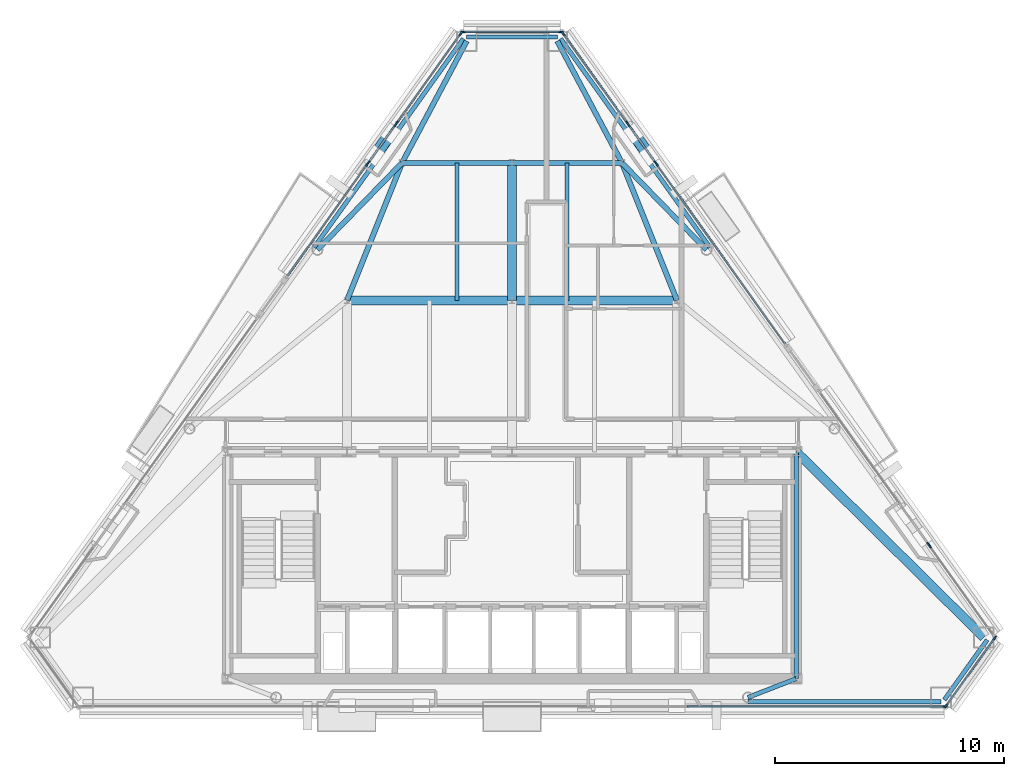
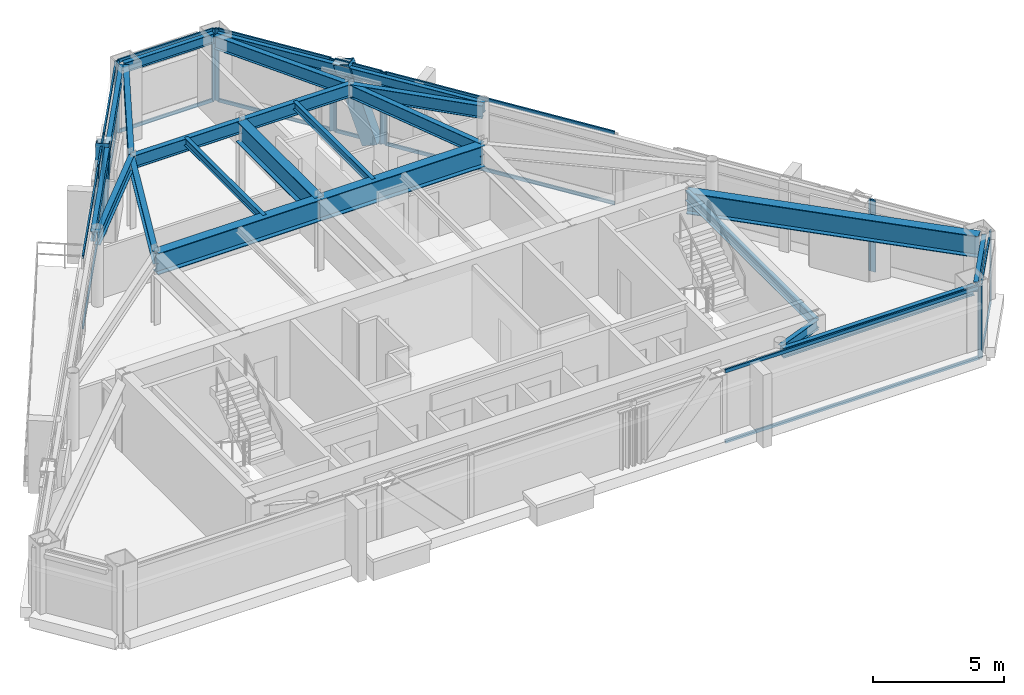
# One storey, part 5 of 12: 37 members, 21 beams, 11 elements without a shape of their own.
"""IFC4 building model written with IfcOpenShell, lengths in metres."""

import ifcopenshell
import ifcopenshell.guid

model = None  # the IFC model being written
_history = None  # IfcOwnerHistory: only IFC2X3 demands one
_inside = {}  # id of a spatial element -> (the spatial element, [elements in it])
_under = {}  # id of a project, library or spatial element -> (it, [spatial elements below it])
_declared = {}  # id of a project -> (the project, [libraries it declares])
_typed = {}  # id of a type object -> (the type object, [elements of that type])
_made_of = {}  # id of a material, layer set ... -> (it, [elements and type objects made of it])


def new_model(schema):
    """Start an empty IFC model of exactly this schema.

    Asked for "IFC4X3", IfcOpenShell would pick the latest addendum, in which some entities
    have other attributes; the version numbers below select the first issue.
    IFC2X3 requires an IfcOwnerHistory on every rooted entity: one is made here for all.
    """
    global model, _history
    if schema == "IFC4X3":
        model = ifcopenshell.file(schema_version=(4, 3, 0, 0))
    else:
        model = ifcopenshell.file(schema=schema)
    _inside.clear()
    _under.clear()
    _declared.clear()
    _typed.clear()
    _made_of.clear()
    _history = None
    if model.schema == "IFC2X3":
        org = make("IfcOrganization", Name="unknown")
        user = make(
            "IfcPersonAndOrganization",
            ThePerson=make("IfcPerson", FamilyName="unknown"),
            TheOrganization=org,
        )
        app = make(
            "IfcApplication",
            ApplicationDeveloper=org,
            Version="unknown",
            ApplicationFullName="unknown",
            ApplicationIdentifier="unknown",
        )
        _history = make(
            "IfcOwnerHistory",
            OwningUser=user,
            OwningApplication=app,
            ChangeAction="ADDED",
            CreationDate=0,
        )
    return model


def make(cls, **values):
    """One entity of the class cls with the attributes given. An attribute that is None is left unset."""
    return model.create_entity(
        cls, **{name: value for name, value in values.items() if value is not None}
    )


def rooted(cls, **values):
    """An entity with a GlobalId (a new one), such as an element, a storey or a relation."""
    return make(cls, GlobalId=ifcopenshell.guid.new(), OwnerHistory=_history, **values)


def si_unit(unit_type, name, prefix=None):
    """IfcSIUnit, for example si_unit("LENGTHUNIT", "METRE", prefix="MILLI")."""
    return make("IfcSIUnit", UnitType=unit_type, Prefix=prefix, Name=name)


def assignment(units):
    """IfcUnitAssignment: the units of a project."""
    return None if units is None else make("IfcUnitAssignment", Units=units)


def point(xyz):
    """IfcCartesianPoint."""
    return None if xyz is None else make("IfcCartesianPoint", Coordinates=xyz)


def direction(xyz):
    """IfcDirection."""
    return None if xyz is None else make("IfcDirection", DirectionRatios=xyz)


def frame(location, z_axis=None, x_axis=None):
    """IfcAxis2Placement3D, a coordinate frame: its origin and axes. An axis left out is left unset."""
    return make(
        "IfcAxis2Placement3D",
        Location=point(location),
        Axis=direction(z_axis),
        RefDirection=direction(x_axis),
    )


def frame_2d(location, x_axis=None):
    """IfcAxis2Placement2D, a coordinate frame in the plane: its origin and x axis."""
    return make(
        "IfcAxis2Placement2D", Location=point(location), RefDirection=direction(x_axis)
    )


def origin():
    """The frame at (0, 0, 0) with its axes left unset."""
    return frame((0.0, 0.0, 0.0))


def origin_2d():
    """The frame at (0, 0) in the plane with its x axis left unset."""
    return frame_2d((0.0, 0.0))


def place(relative_to, where):
    """IfcLocalPlacement: puts the frame where relative to a parent placement (None: the world)."""
    return make(
        "IfcLocalPlacement", PlacementRelTo=relative_to, RelativePlacement=where
    )


def context(
    kind, dimensions, precision=None, world=None, true_north=None, identifier=None
):
    """IfcGeometricRepresentationContext, for example the 3D "Model" context."""
    return make(
        "IfcGeometricRepresentationContext",
        ContextIdentifier=identifier,
        ContextType=kind,
        CoordinateSpaceDimension=dimensions,
        Precision=precision,
        WorldCoordinateSystem=world,
        TrueNorth=true_north,
    )


def subcontext(parent, identifier, kind, view, scale=None):
    """IfcGeometricRepresentationSubContext, for example "Body" below "Model"."""
    return make(
        "IfcGeometricRepresentationSubContext",
        ContextIdentifier=identifier,
        ContextType=kind,
        ParentContext=parent,
        TargetScale=scale,
        TargetView=view,
    )


def project(units=None, contexts=None):
    """IfcProject with its units and contexts."""
    return rooted(
        "IfcProject",
        Name="project",
        RepresentationContexts=contexts,
        UnitsInContext=assignment(units),
    )


def spatial(cls, under=None, at=None, **own):
    """A site, building, storey or space (cls), placed at a placement, below another one or the project."""
    s = rooted(cls, ObjectPlacement=at, **own)
    if under is not None:
        _under.setdefault(under.id(), (under, []))[1].append(s)
    return s


def profile(cls, at=None, kind="AREA", **sizes):
    """A parametric profile (cls). Its sizes go by their IFC names, for example OverallWidth=200.0."""
    return make(cls, ProfileType=kind, Position=at, **sizes)


def rectangle(**sizes):
    """IfcRectangleProfileDef."""
    return profile("IfcRectangleProfileDef", **sizes)


def hollow_rectangle(**sizes):
    """IfcRectangleHollowProfileDef."""
    return profile("IfcRectangleHollowProfileDef", **sizes)


def i_section(**sizes):
    """IfcIShapeProfileDef."""
    return profile("IfcIShapeProfileDef", **sizes)


def extrude(swept, where, along, depth):
    """IfcExtrudedAreaSolid: the profile swept, set in the frame where, extruded along a direction by depth."""
    return make(
        "IfcExtrudedAreaSolid",
        SweptArea=swept,
        Position=where,
        ExtrudedDirection=direction(along),
        Depth=depth,
    )


def shape(context_of_items, identifier, shape_type, items):
    """IfcShapeRepresentation: the items that make up one representation, for example the "Body"."""
    return make(
        "IfcShapeRepresentation",
        ContextOfItems=context_of_items,
        RepresentationIdentifier=identifier,
        RepresentationType=shape_type,
        Items=items,
    )


def material(Name=None, Category=None):
    """IfcMaterial."""
    return make("IfcMaterial", Name=Name, Category=Category)


def layer(
    of_material, thickness, ventilated=None, Name=None, Category=None, Priority=None
):
    """IfcMaterialLayer: one layer of a wall or slab, of a material (None: an air gap)."""
    return make(
        "IfcMaterialLayer",
        Material=of_material,
        LayerThickness=thickness,
        IsVentilated=ventilated,
        Name=Name,
        Category=Category,
        Priority=Priority,
    )


def layer_set(layers, Name=None):
    """IfcMaterialLayerSet."""
    return make("IfcMaterialLayerSet", MaterialLayers=layers, LayerSetName=Name)


def material_profile(
    of_material, cross_section, Name=None, Category=None, Priority=None
):
    """IfcMaterialProfile: a cross section and its material."""
    return make(
        "IfcMaterialProfile",
        Name=Name,
        Material=of_material,
        Profile=cross_section,
        Priority=Priority,
        Category=Category,
    )


def profile_set(profiles, Name=None, composite=None):
    """IfcMaterialProfileSet."""
    return make(
        "IfcMaterialProfileSet",
        Name=Name,
        MaterialProfiles=profiles,
        CompositeProfile=composite,
    )


def made_of(thing, what):
    """Note that an element or type object is made of a material, layer set ...; save() writes the relation."""
    if what is not None:
        _made_of.setdefault(what.id(), (what, []))[1].append(thing)
    return thing


def type_object(cls, material=None, **own):
    """A type object (cls), such as IfcWallType, which elements share."""
    return made_of(rooted(cls, **own), material)


def element(
    cls,
    number,
    at=None,
    inside=None,
    cuts=None,
    type_object=None,
    material=None,
    context=None,
    identifier="Body",
    shape_type=None,
    held_by="IfcProductDefinitionShape",
    body=None,
    shapes=None,
    **own,
):
    """One element of the class cls, such as IfcWall. Its Tag is "e" and its number.

    at: its placement. inside: the storey or other place that contains it. cuts: it is an
    opening in that element (IfcRelVoidsElement). A single representation is given by context,
    identifier, shape_type and body (its items); several are given by shapes. held_by: the class
    of the entity that holds the representations. save() writes the other relations.
    """
    e = rooted(cls, Tag="e%d" % number, ObjectPlacement=at, **own)
    if body is not None:
        shapes = [shape(context, identifier, shape_type, body)]
    if shapes is not None:
        e.Representation = make(held_by, Representations=shapes)
    if inside is not None:
        _inside.setdefault(inside.id(), (inside, []))[1].append(e)
    if cuts is not None:
        rooted(
            "IfcRelVoidsElement", RelatingBuildingElement=cuts, RelatedOpeningElement=e
        )
    if type_object is not None:
        _typed.setdefault(type_object.id(), (type_object, []))[1].append(e)
    return made_of(e, material)


def aggregate(whole, parts):
    """IfcRelAggregates: a whole, such as a stair, and the parts it consists of."""
    return rooted("IfcRelAggregates", RelatingObject=whole, RelatedObjects=parts)


def save(model, path):
    """Write the relations noted so far, then the file.

    IfcRelAggregates (storeys below a building ...), IfcRelContainedInSpatialStructure (elements
    in a storey), IfcRelDefinesByType, IfcRelAssociatesMaterial and IfcRelDeclares: one each for
    every whole, place, type object, material and project.
    """
    for whole, parts in _under.values():
        aggregate(whole, parts)
    for where, things in _inside.values():
        rooted(
            "IfcRelContainedInSpatialStructure",
            RelatedElements=things,
            RelatingStructure=where,
        )
    for kind, things in _typed.values():
        rooted("IfcRelDefinesByType", RelatedObjects=things, RelatingType=kind)
    for what, things in _made_of.values():
        rooted("IfcRelAssociatesMaterial", RelatedObjects=things, RelatingMaterial=what)
    for by, libraries in _declared.values():
        rooted("IfcRelDeclares", RelatingContext=by, RelatedDefinitions=libraries)
    model.write(path)


model = new_model("IFC4")

# Units and contexts
model_context = context("Model", 3, precision=1e-05, world=origin(), true_north=direction((0.0, 1.0)))
body_context = subcontext(model_context, "Body", "Model", "MODEL_VIEW")
ifc_project = project(units=[si_unit("LENGTHUNIT", "METRE"), si_unit("AREAUNIT", "SQUARE_METRE"), si_unit("VOLUMEUNIT", "CUBIC_METRE"), si_unit("PLANEANGLEUNIT", "RADIAN"), si_unit("MASSUNIT", "GRAM", prefix="KILO")], contexts=[model_context])

# Site, building, storey
site_placement = place(None, origin())
site = spatial("IfcSite", under=ifc_project, at=site_placement, CompositionType="ELEMENT")
building_placement = place(site_placement, origin())
building = spatial("IfcBuilding", under=site, at=building_placement, Name="Talgorran Terracotta Tower", CompositionType="ELEMENT")
storey_placement = place(building_placement, frame((0.0, 0.0, 267.0)))
storey = spatial("IfcBuildingStorey", under=building, at=storey_placement, Name="L70", CompositionType="ELEMENT", Elevation=267.0)

# Beams
ifc_material_1 = material(Name="Steel Grade 350 (350L0)", Category="steel")
ifc_material_profile_1 = material_profile(ifc_material_1, i_section(OverallWidth=0.39990234375, OverallDepth=1.0, WebThickness=0.01611328125, FlangeThickness=0.031005859375, at=origin_2d()), Name="1000WB296")
ifc_profile_set_1 = profile_set([ifc_material_profile_1], Name="Steel Grade 350 (350L0)")
beam_type_1 = type_object("IfcBeamType", Name="BM_1000WB296", PredefinedType="BEAM", material=ifc_profile_set_1)
for number, where, z_axis, x_axis, name in (
    (1, (-7.199951171875, 2.39990234375, 2.844970703125), (1.0, 0.0, 0.0), (0.0, 1.0, 0.0), "L70 Floor Girder G04"),
    (2, (0.0, 2.39990234375, 2.844970703125), (1.0, 0.0, 0.0), (0.0, 1.0, 0.0), "L70 Floor Girder G05"),
):
    element("IfcBeam", number, at=place(storey_placement, frame(where, z_axis=z_axis, x_axis=x_axis)), inside=storey, type_object=beam_type_1, Name=name, PredefinedType="BEAM", context=body_context, shape_type="SweptSolid", body=[
        extrude(i_section(OverallWidth=0.39990234375, OverallDepth=1.0, WebThickness=0.01611328125, FlangeThickness=0.031005859375, at=origin_2d()), origin(), (0.0, 0.0, 1.0), 7.199951171875),
    ])
beam_1_placement = place(storey_placement, frame((0.0, 2.39990234375, 2.844970703125), z_axis=(0.0, 1.0, 0.0), x_axis=(-1.0, 0.0, 0.0)))
element("IfcBeam", 3, at=beam_1_placement, inside=storey, type_object=beam_type_1, Name="L70 Floor Girder G09", PredefinedType="BEAM", context=body_context, shape_type="SweptSolid", body=[
    extrude(i_section(OverallWidth=0.39990234375, OverallDepth=1.0, WebThickness=0.01611328125, FlangeThickness=0.031005859375, at=origin_2d()), origin(), (0.0, 0.0, 1.0), 6.0),
])
beam_2_placement = place(storey_placement, frame((12.39990234375, -4.199951171875, 2.844970703125), z_axis=(0.710637755688, -0.703558085868, 0.0), x_axis=(0.703558085868, 0.710637755688, 0.0)))
element("IfcBeam", 4, at=beam_2_placement, inside=storey, type_object=beam_type_1, Name="L70 Floor Girder G18", PredefinedType="BEAM", context=body_context, shape_type="SweptSolid", body=[
    extrude(i_section(OverallWidth=0.39990234375, OverallDepth=1.0, WebThickness=0.01611328125, FlangeThickness=0.031005859375, at=origin_2d()), origin(), (0.0, 0.0, 1.0), 11.517822265625),
])
ifc_material_2 = material(Name="Steel S355 (300PLUS)", Category="steel")
ifc_material_profile_2 = material_profile(ifc_material_2, i_section(OverallWidth=0.22802734375, OverallDepth=0.60205078125, WebThickness=0.010498046875, FlangeThickness=0.014892578125, at=origin_2d()), Name="610UB101")
ifc_profile_set_2 = profile_set([ifc_material_profile_2], Name="Steel S355 (300PLUS)")
beam_type_2 = type_object("IfcBeamType", Name="BM_610UB101", PredefinedType="BEAM", material=ifc_profile_set_2)
for number, where, z_axis, x_axis, name in (
    (5, (-7.199951171875, 2.39990234375, 3.0439453125), (0.371377648723, 0.928481901832, 0.0), (-0.928481901832, 0.371377648723, 0.0), "L70 Floor Girder G08"),
    (6, (7.199951171875, 2.39990234375, 3.0439453125), (-0.371377648723, 0.928481901832, 0.0), (-0.928481901832, -0.371377648723, 0.0), "L70 Floor Girder G10"),
):
    element("IfcBeam", number, at=place(storey_placement, frame(where, z_axis=z_axis, x_axis=x_axis)), inside=storey, type_object=beam_type_2, Name=name, PredefinedType="BEAM", context=body_context, shape_type="SweptSolid", body=[
        extrude(i_section(OverallWidth=0.22802734375, OverallDepth=0.60205078125, WebThickness=0.010498046875, FlangeThickness=0.014892578125, at=origin_2d()), origin(), (0.0, 0.0, 1.0), 6.462158203125),
    ])
for number, where, z_axis, x_axis, name in (
    (7, (-4.800048828125, 8.39990234375, 3.0439453125), (1.0, 0.0, 0.0), (0.0, 1.0, 0.0), "L70 Floor Girder G11"),
    (8, (0.0, 8.39990234375, 3.0439453125), (1.0, 0.0, 0.0), (0.0, 1.0, 0.0), "L70 Floor Girder G12"),
):
    element("IfcBeam", number, at=place(storey_placement, frame(where, z_axis=z_axis, x_axis=x_axis)), inside=storey, type_object=beam_type_2, Name=name, PredefinedType="BEAM", context=body_context, shape_type="SweptSolid", body=[
        extrude(i_section(OverallWidth=0.22802734375, OverallDepth=0.60205078125, WebThickness=0.010498046875, FlangeThickness=0.014892578125, at=origin_2d()), origin(), (0.0, 0.0, 1.0), 4.800048828125),
    ])
for number, where, z_axis, x_axis, name in (
    (9, (-4.800048828125, 8.39990234375, 3.0439453125), (-0.697416483559, -0.716666064817, 0.0), (0.716666064817, -0.697416483559, 0.0), "L70 Floor Girder G13"),
    (10, (4.800048828125, 8.39990234375, 3.0439453125), (0.697416483559, -0.716666064817, 0.0), (0.716666064817, 0.697416483559, 0.0), "L70 Floor Girder G14"),
):
    element("IfcBeam", number, at=place(storey_placement, frame(where, z_axis=z_axis, x_axis=x_axis)), inside=storey, type_object=beam_type_2, Name=name, PredefinedType="BEAM", context=body_context, shape_type="SweptSolid", body=[
        extrude(i_section(OverallWidth=0.22802734375, OverallDepth=0.60205078125, WebThickness=0.010498046875, FlangeThickness=0.014892578125, at=origin_2d()), origin(), (0.0, 0.0, 1.0), 5.288818359375),
    ])
for number, where, z_axis, x_axis, name in (
    (11, (-4.800048828125, 8.39990234375, 3.0439453125), (0.469200685486, 0.883091567585, 0.0), (-0.883091567585, 0.469200685486, 0.0), "L70 Floor Girder G15"),
    (12, (4.800048828125, 8.39990234375, 3.0439453125), (-0.469200685486, 0.883091567585, 0.0), (-0.883091567585, -0.469200685486, 0.0), "L70 Floor Girder G16"),
):
    element("IfcBeam", number, at=place(storey_placement, frame(where, z_axis=z_axis, x_axis=x_axis)), inside=storey, type_object=beam_type_2, Name=name, PredefinedType="BEAM", context=body_context, shape_type="SweptSolid", body=[
        extrude(i_section(OverallWidth=0.22802734375, OverallDepth=0.60205078125, WebThickness=0.010498046875, FlangeThickness=0.014892578125, at=origin_2d()), origin(), (0.0, 0.0, 1.0), 6.020751953125),
    ])
ifc_material_profile_3 = material_profile(ifc_material_2, i_section(OverallWidth=0.17138671875, OverallDepth=0.355712890625, WebThickness=0.00732421875, FlangeThickness=0.011474609375, at=origin_2d()), Name="360UB50.7")
ifc_profile_set_3 = profile_set([ifc_material_profile_3], Name="Steel S355 (300PLUS)")
beam_type_3 = type_object("IfcBeamType", Name="BM_JS_360UB51", PredefinedType="JOIST", material=ifc_profile_set_3)
for number, where, z_axis, x_axis, name in (
    (13, (-2.39990234375, 2.39990234375, 3.167236328125), (0.0, 1.0, 0.0), (-1.0, 0.0, 0.0), "L70 Secondary Joist J03"),
    (14, (2.39990234375, 2.39990234375, 3.167236328125), (0.0, 1.0, 0.0), (-1.0, 0.0, 0.0), "L70 Secondary Joist J04"),
):
    element("IfcBeam", number, at=place(storey_placement, frame(where, z_axis=z_axis, x_axis=x_axis)), inside=storey, type_object=beam_type_3, Name=name, PredefinedType="JOIST", context=body_context, shape_type="SweptSolid", body=[
        extrude(i_section(OverallWidth=0.17138671875, OverallDepth=0.355712890625, WebThickness=0.00732421875, FlangeThickness=0.011474609375, at=origin_2d()), origin(), (0.0, 0.0, 1.0), 6.0),
    ])
ifc_material_profile_4 = material_profile(ifc_material_2, i_section(OverallWidth=0.18994140625, OverallDepth=0.45703125, WebThickness=0.009033203125, FlangeThickness=0.014404296875, at=origin_2d()), Name="460UB74.6")
ifc_profile_set_4 = profile_set([ifc_material_profile_4], Name="Steel S355 (300PLUS)")
beam_type_4 = type_object("IfcBeamType", Name="BM_SP_460UB74", PredefinedType="SPANDREL", material=ifc_profile_set_4)
beam_3_placement = place(storey_placement, frame((10.29296875, -15.098876953125, 3.116455078125), z_axis=(1.0, 0.0, 0.0), x_axis=(0.0, 1.0, 0.0)))
element("IfcBeam", 15, at=beam_3_placement, inside=storey, type_object=beam_type_4, Name="L70 Perimeter Spandrel Beam FC2-MC3", PredefinedType="SPANDREL", context=body_context, shape_type="SweptSolid", body=[
    extrude(i_section(OverallWidth=0.18994140625, OverallDepth=0.45703125, WebThickness=0.009033203125, FlangeThickness=0.014404296875, at=origin_2d()), origin(), (0.0, 0.0, 1.0), 8.42138671875),
])
beam_4_placement = place(storey_placement, frame((18.860595703125, -15.023681640625, 3.116455078125), z_axis=(0.581733647308, 0.8133793479, 0.0), x_axis=(-0.8133793479, 0.581733647308, 0.0)))
element("IfcBeam", 16, at=beam_4_placement, inside=storey, type_object=beam_type_4, Name="L70 Perimeter Spandrel Beam MC3-MC4", PredefinedType="SPANDREL", context=body_context, shape_type="SweptSolid", body=[
    extrude(i_section(OverallWidth=0.18994140625, OverallDepth=0.45703125, WebThickness=0.009033203125, FlangeThickness=0.014404296875, at=origin_2d()), origin(), (0.0, 0.0, 1.0), 3.215576171875),
])
beam_5_placement = place(storey_placement, frame((8.635009765625, 4.71435546875, 3.116455078125), z_axis=(-0.58172898954, 0.813382679142, 0.0), x_axis=(-0.813382679142, -0.58172898954, 0.0)))
element("IfcBeam", 17, at=beam_5_placement, inside=storey, type_object=beam_type_4, Name="L70 Perimeter Spandrel Beam FC4-MC5", PredefinedType="SPANDREL", context=body_context, shape_type="SweptSolid", body=[
    extrude(i_section(OverallWidth=0.18994140625, OverallDepth=0.45703125, WebThickness=0.009033203125, FlangeThickness=0.014404296875, at=origin_2d()), origin(), (0.0, 0.0, 1.0), 11.19677734375),
])
beam_6_placement = place(storey_placement, frame((1.97509765625, 13.896728515625, 3.116455078125), z_axis=(-1.0, 0.0, 0.0), x_axis=(0.0, -1.0, 0.0)))
element("IfcBeam", 18, at=beam_6_placement, inside=storey, type_object=beam_type_4, Name="L70 Perimeter Spandrel Beam MC5-MC6", PredefinedType="SPANDREL", context=body_context, shape_type="SweptSolid", body=[
    extrude(i_section(OverallWidth=0.18994140625, OverallDepth=0.45703125, WebThickness=0.009033203125, FlangeThickness=0.014404296875, at=origin_2d()), origin(), (0.0, 0.0, 1.0), 3.9501953125),
])
beam_7_placement = place(storey_placement, frame((-2.12158203125, 13.821533203125, 3.116455078125), z_axis=(-0.58172898954, -0.813382679142, 0.0), x_axis=(0.813382679142, -0.58172898954, 0.0)))
element("IfcBeam", 19, at=beam_7_placement, inside=storey, type_object=beam_type_4, Name="L70 Perimeter Spandrel Beam MC6-FC5", PredefinedType="SPANDREL", context=body_context, shape_type="SweptSolid", body=[
    extrude(i_section(OverallWidth=0.18994140625, OverallDepth=0.45703125, WebThickness=0.009033203125, FlangeThickness=0.014404296875, at=origin_2d()), origin(), (0.0, 0.0, 1.0), 11.19677734375),
])
beam_8_placement = place(storey_placement, frame((12.39990234375, -14.10009765625, 3.116455078125), z_axis=(-0.932081672707, -0.362248195859, 0.0), x_axis=(0.362248195859, -0.932081672707, 0.0)))
element("IfcBeam", 20, at=beam_8_placement, inside=storey, type_object=beam_type_4, Name="L70 South-East Core Tie Beam", PredefinedType="SPANDREL", context=body_context, shape_type="SweptSolid", body=[
    extrude(i_section(OverallWidth=0.18994140625, OverallDepth=0.45703125, WebThickness=0.009033203125, FlangeThickness=0.014404296875, at=origin_2d()), origin(), (0.0, 0.0, 1.0), 2.260498046875),
])
beam_9_placement = place(storey_placement, frame((12.39990234375, -14.10009765625, 3.116455078125), z_axis=(0.0, 1.0, 0.0), x_axis=(-1.0, 0.0, 0.0)))
element("IfcBeam", 21, at=beam_9_placement, inside=storey, type_object=beam_type_4, Name="L70 Core Frame Beam CFE", PredefinedType="SPANDREL", context=body_context, shape_type="SweptSolid", body=[
    extrude(i_section(OverallWidth=0.18994140625, OverallDepth=0.45703125, WebThickness=0.009033203125, FlangeThickness=0.014404296875, at=origin_2d()), origin(), (0.0, 0.0, 1.0), 9.900146484375),
])

# Members
ifc_material_profile_5 = material_profile(ifc_material_1, hollow_rectangle(XDim=0.52001953125, YDim=0.659912109375, WallThickness=0.034912109375, at=origin_2d()), Name="WBOX660X520X35")
ifc_profile_set_5 = profile_set([ifc_material_profile_5], Name="Steel Grade 350 (350L0)")
member_type_1 = type_object("IfcMemberType", Name="MB_MEGA_660", PredefinedType="BRACE", material=ifc_profile_set_5)
for number, where, z_axis, x_axis, name in (
    (22, (5.990234375, 8.7216796875, -0.02490234375), (-0.193842884076, 0.271068153387, 0.942839855178), (-0.813417169156, -0.581680762035, 0.0), "L70 Exterior Face Mega-Brace MB-3 (NEU)"),
    (23, (-5.990234375, 8.7216796875, -0.02490234375), (0.193842884076, 0.271068153387, 0.942839855178), (-0.813417169156, 0.581680762035, 0.0), "L70 Exterior Face Mega-Brace MB-3 (NWU)"),
):
    element("IfcMember", number, at=place(storey_placement, frame(where, z_axis=z_axis, x_axis=x_axis)), inside=storey, type_object=member_type_1, Name=name, PredefinedType="BRACE", context=body_context, shape_type="SweptSolid", body=[
        extrude(hollow_rectangle(XDim=0.52001953125, YDim=0.659912109375, WallThickness=0.034912109375, at=origin_2d()), origin(), (0.0, 0.0, 1.0), 3.600830078125),
    ])

# Curtain wall, member
ifc_material_3 = material(Name="High-Wind Unitised Glazing", Category="glass")
ifc_layer = layer(ifc_material_3, 0.2099609375, Name="CW_SYS3_RES_HIGH")
ifc_layer_set = layer_set([ifc_layer], Name="High-Wind Unitised Glazing")
curtain_wall_type = type_object("IfcCurtainWallType", Name="CW_SYS3_RES_HIGH", PredefinedType="NOTDEFINED", material=ifc_layer_set)
curtain_wall_1_placement = place(storey_placement, origin())
curtain_wall_1 = element("IfcCurtainWall", 24, at=curtain_wall_1_placement, inside=storey, type_object=curtain_wall_type, Name="CW-L70-F1E", PredefinedType="NOTDEFINED")
ifc_material_4 = material(Name="Architectural Aluminium 6063-T6", Category="aluminium")
ifc_material_profile_6 = material_profile(ifc_material_4, rectangle(XDim=0.070068359375, YDim=0.199951171875, at=origin_2d()), Name="CWM70X200")
ifc_profile_set_6 = profile_set([ifc_material_profile_6], Name="Architectural Aluminium 6063-T6")
member_type_2 = type_object("IfcMemberType", Name="MUL_70X200", PredefinedType="MULLION", material=ifc_profile_set_6)
member_1_placement = place(storey_placement, frame((18.885009765625, -15.31884765625, 0.0), z_axis=(0.0, 0.0, 1.0), x_axis=(0.0, 1.0, 0.0)))
member_1 = element("IfcMember", 25, at=member_1_placement, type_object=member_type_2, Name="CW-L70-1E mullion 2", PredefinedType="MULLION", context=body_context, shape_type="SweptSolid", body=[
    extrude(rectangle(XDim=0.070068359375, YDim=0.199951171875, at=origin_2d()), origin(), (0.0, 0.0, 1.0), 3.344970703125),
])

# Curtain wall, members
curtain_wall_2_placement = place(storey_placement, origin())
curtain_wall_2 = element("IfcCurtainWall", 26, at=curtain_wall_2_placement, inside=storey, type_object=curtain_wall_type, Name="CW-L70-F2", PredefinedType="NOTDEFINED")
member_2_placement = place(storey_placement, frame((18.9404296875, -15.29052734375, 0.0), z_axis=(0.0, 0.0, 1.0), x_axis=(-0.813370623345, 0.581745845777, 0.0)))
member_2 = element("IfcMember", 27, at=member_2_placement, type_object=member_type_2, Name="CW-L70-2 mullion 1", PredefinedType="MULLION", context=body_context, shape_type="SweptSolid", body=[
    extrude(rectangle(XDim=0.070068359375, YDim=0.199951171875, at=origin_2d()), origin(), (0.0, 0.0, 1.0), 3.344970703125),
])
member_3_placement = place(storey_placement, frame((21.056396484375, -12.33203125, 0.0), z_axis=(0.0, 0.0, 1.0), x_axis=(-0.813370623345, 0.581745845777, 0.0)))
member_3 = element("IfcMember", 28, at=member_3_placement, type_object=member_type_2, Name="CW-L70-2 mullion 2", PredefinedType="MULLION", context=body_context, shape_type="SweptSolid", body=[
    extrude(rectangle(XDim=0.070068359375, YDim=0.199951171875, at=origin_2d()), origin(), (0.0, 0.0, 1.0), 3.344970703125),
])

# Curtain wall, member
curtain_wall_3_placement = place(storey_placement, origin())
curtain_wall_3 = element("IfcCurtainWall", 29, at=curtain_wall_3_placement, inside=storey, type_object=curtain_wall_type, Name="CW-L70-F40", PredefinedType="NOTDEFINED")
member_4_placement = place(storey_placement, frame((18.219482421875, -8.308837890625, 0.0), z_axis=(0.0, 0.0, 1.0), x_axis=(-0.813376636428, -0.581737438466, 0.0)))
member_4 = element("IfcMember", 30, at=member_4_placement, type_object=member_type_2, Name="CW-L70-40 mullion 2", PredefinedType="MULLION", context=body_context, shape_type="SweptSolid", body=[
    extrude(rectangle(XDim=0.070068359375, YDim=0.199951171875, at=origin_2d()), origin(), (0.0, 0.0, 1.0), 3.344970703125),
])
aggregate(curtain_wall_3, [member_4])

curtain_wall_4_placement = place(storey_placement, origin())
curtain_wall_4 = element("IfcCurtainWall", 31, at=curtain_wall_4_placement, inside=storey, type_object=curtain_wall_type, Name="CW-L70-F40B", PredefinedType="NOTDEFINED")
member_5_placement = place(storey_placement, frame((18.173095703125, -8.24365234375, 0.0), z_axis=(0.0, 0.0, 1.0), x_axis=(-0.813378256404, -0.581735173433, 0.0)))
member_5 = element("IfcMember", 32, at=member_5_placement, type_object=member_type_2, Name="CW-L70-40B mullion 1", PredefinedType="MULLION", context=body_context, shape_type="SweptSolid", body=[
    extrude(rectangle(XDim=0.070068359375, YDim=0.199951171875, at=origin_2d()), origin(), (0.0, 0.0, 1.0), 3.344970703125),
])
aggregate(curtain_wall_4, [member_5])

curtain_wall_5_placement = place(storey_placement, origin())
curtain_wall_5 = element("IfcCurtainWall", 33, at=curtain_wall_5_placement, inside=storey, type_object=curtain_wall_type, Name="CW-L70-F41", PredefinedType="NOTDEFINED")
member_6_placement = place(storey_placement, frame((6.314453125, 8.337158203125, 0.0), z_axis=(0.0, 0.0, 1.0), x_axis=(-0.813376628874, -0.581737449028, 0.0)))
member_6 = element("IfcMember", 34, at=member_6_placement, type_object=member_type_2, Name="CW-L70-41 mullion 2", PredefinedType="MULLION", context=body_context, shape_type="SweptSolid", body=[
    extrude(rectangle(XDim=0.070068359375, YDim=0.199951171875, at=origin_2d()), origin(), (0.0, 0.0, 1.0), 3.344970703125),
])

# Curtain wall, members
curtain_wall_6_placement = place(storey_placement, origin())
curtain_wall_6 = element("IfcCurtainWall", 35, at=curtain_wall_6_placement, inside=storey, type_object=curtain_wall_type, Name="CW-L70-F41B", PredefinedType="NOTDEFINED")
member_7_placement = place(storey_placement, frame((6.267822265625, 8.40234375, 0.0), z_axis=(0.0, 0.0, 1.0), x_axis=(-0.813378256404, -0.581735173433, 0.0)))
member_7 = element("IfcMember", 36, at=member_7_placement, type_object=member_type_2, Name="CW-L70-41B mullion 1", PredefinedType="MULLION", context=body_context, shape_type="SweptSolid", body=[
    extrude(rectangle(XDim=0.070068359375, YDim=0.199951171875, at=origin_2d()), origin(), (0.0, 0.0, 1.0), 3.344970703125),
])
member_8_placement = place(storey_placement, frame((5.079833984375, 10.0634765625, 0.0), z_axis=(0.0, 0.0, 1.0), x_axis=(-0.813378256404, -0.581735173433, 0.0)))
member_8 = element("IfcMember", 37, at=member_8_placement, type_object=member_type_2, Name="CW-L70-41B mullion 2", PredefinedType="MULLION", context=body_context, shape_type="SweptSolid", body=[
    extrude(rectangle(XDim=0.070068359375, YDim=0.199951171875, at=origin_2d()), origin(), (0.0, 0.0, 1.0), 3.344970703125),
])

curtain_wall_7_placement = place(storey_placement, origin())
curtain_wall_7 = element("IfcCurtainWall", 38, at=curtain_wall_7_placement, inside=storey, type_object=curtain_wall_type, Name="CW-L70-F41C", PredefinedType="NOTDEFINED")
member_9_placement = place(storey_placement, frame((5.033203125, 10.128662109375, 0.0), z_axis=(0.0, 0.0, 1.0), x_axis=(-0.81338157418, -0.581730534512, 0.0)))
member_9 = element("IfcMember", 39, at=member_9_placement, type_object=member_type_2, Name="CW-L70-41C mullion 1", PredefinedType="MULLION", context=body_context, shape_type="SweptSolid", body=[
    extrude(rectangle(XDim=0.070068359375, YDim=0.199951171875, at=origin_2d()), origin(), (0.0, 0.0, 1.0), 3.344970703125),
])
member_10_placement = place(storey_placement, frame((2.224365234375, 14.055908203125, 0.0), z_axis=(0.0, 0.0, 1.0), x_axis=(-0.81338157418, -0.581730534512, 0.0)))
member_10 = element("IfcMember", 40, at=member_10_placement, type_object=member_type_2, Name="CW-L70-41C mullion 2", PredefinedType="MULLION", context=body_context, shape_type="SweptSolid", body=[
    extrude(rectangle(XDim=0.070068359375, YDim=0.199951171875, at=origin_2d()), origin(), (0.0, 0.0, 1.0), 3.344970703125),
])

curtain_wall_8_placement = place(storey_placement, origin())
curtain_wall_8 = element("IfcCurtainWall", 41, at=curtain_wall_8_placement, inside=storey, type_object=curtain_wall_type, Name="CW-L70-F4", PredefinedType="NOTDEFINED")
member_11_placement = place(storey_placement, frame((2.145751953125, 14.11669921875, 0.0), z_axis=(0.0, 0.0, 1.0), x_axis=(0.0, -1.0, 0.0)))
member_11 = element("IfcMember", 42, at=member_11_placement, type_object=member_type_2, Name="CW-L70-4 mullion 1", PredefinedType="MULLION", context=body_context, shape_type="SweptSolid", body=[
    extrude(rectangle(XDim=0.070068359375, YDim=0.199951171875, at=origin_2d()), origin(), (0.0, 0.0, 1.0), 3.344970703125),
])
member_12_placement = place(storey_placement, frame((-2.145751953125, 14.11669921875, 0.0), z_axis=(0.0, 0.0, 1.0), x_axis=(0.0, -1.0, 0.0)))
member_12 = element("IfcMember", 43, at=member_12_placement, type_object=member_type_2, Name="CW-L70-4 mullion 2", PredefinedType="MULLION", context=body_context, shape_type="SweptSolid", body=[
    extrude(rectangle(XDim=0.070068359375, YDim=0.199951171875, at=origin_2d()), origin(), (0.0, 0.0, 1.0), 3.344970703125),
])

curtain_wall_9_placement = place(storey_placement, origin())
curtain_wall_9 = element("IfcCurtainWall", 44, at=curtain_wall_9_placement, inside=storey, type_object=curtain_wall_type, Name="CW-L70-F60", PredefinedType="NOTDEFINED")
member_13_placement = place(storey_placement, frame((-2.224365234375, 14.055908203125, 0.0), z_axis=(0.0, 0.0, 1.0), x_axis=(0.81338157418, -0.581730534512, 0.0)))
member_13 = element("IfcMember", 45, at=member_13_placement, type_object=member_type_2, Name="CW-L70-60 mullion 1", PredefinedType="MULLION", context=body_context, shape_type="SweptSolid", body=[
    extrude(rectangle(XDim=0.070068359375, YDim=0.199951171875, at=origin_2d()), origin(), (0.0, 0.0, 1.0), 3.344970703125),
])
member_14_placement = place(storey_placement, frame((-5.033203125, 10.128662109375, 0.0), z_axis=(0.0, 0.0, 1.0), x_axis=(0.81338157418, -0.581730534512, 0.0)))
member_14 = element("IfcMember", 46, at=member_14_placement, type_object=member_type_2, Name="CW-L70-60 mullion 2", PredefinedType="MULLION", context=body_context, shape_type="SweptSolid", body=[
    extrude(rectangle(XDim=0.070068359375, YDim=0.199951171875, at=origin_2d()), origin(), (0.0, 0.0, 1.0), 3.344970703125),
])

curtain_wall_10_placement = place(storey_placement, origin())
curtain_wall_10 = element("IfcCurtainWall", 47, at=curtain_wall_10_placement, inside=storey, type_object=curtain_wall_type, Name="CW-L70-F60B", PredefinedType="NOTDEFINED")
member_15_placement = place(storey_placement, frame((-5.079833984375, 10.0634765625, 0.0), z_axis=(0.0, 0.0, 1.0), x_axis=(0.813378256404, -0.581735173433, 0.0)))
member_15 = element("IfcMember", 48, at=member_15_placement, type_object=member_type_2, Name="CW-L70-60B mullion 1", PredefinedType="MULLION", context=body_context, shape_type="SweptSolid", body=[
    extrude(rectangle(XDim=0.070068359375, YDim=0.199951171875, at=origin_2d()), origin(), (0.0, 0.0, 1.0), 3.344970703125),
])
member_16_placement = place(storey_placement, frame((-6.267822265625, 8.40234375, 0.0), z_axis=(0.0, 0.0, 1.0), x_axis=(0.813378256404, -0.581735173433, 0.0)))
member_16 = element("IfcMember", 49, at=member_16_placement, type_object=member_type_2, Name="CW-L70-60B mullion 2", PredefinedType="MULLION", context=body_context, shape_type="SweptSolid", body=[
    extrude(rectangle(XDim=0.070068359375, YDim=0.199951171875, at=origin_2d()), origin(), (0.0, 0.0, 1.0), 3.344970703125),
])

# Curtain wall, member
curtain_wall_11_placement = place(storey_placement, origin())
curtain_wall_11 = element("IfcCurtainWall", 50, at=curtain_wall_11_placement, inside=storey, type_object=curtain_wall_type, Name="CW-L70-F60C", PredefinedType="NOTDEFINED")
member_17_placement = place(storey_placement, frame((-6.314453125, 8.337158203125, 0.0), z_axis=(0.0, 0.0, 1.0), x_axis=(0.813377099395, -0.581736791152, 0.0)))
member_17 = element("IfcMember", 51, at=member_17_placement, type_object=member_type_2, Name="CW-L70-60C mullion 1", PredefinedType="MULLION", context=body_context, shape_type="SweptSolid", body=[
    extrude(rectangle(XDim=0.070068359375, YDim=0.199951171875, at=origin_2d()), origin(), (0.0, 0.0, 1.0), 3.344970703125),
])

# Member
ifc_material_profile_7 = material_profile(ifc_material_4, rectangle(XDim=0.070068359375, YDim=0.159912109375, at=origin_2d()), Name="CWT70X160")
ifc_profile_set_7 = profile_set([ifc_material_profile_7], Name="Architectural Aluminium 6063-T6")
member_type_3 = type_object("IfcMemberType", Name="TRN_70X160", PredefinedType="USERDEFINED", material=ifc_profile_set_7)
member_18_placement = place(storey_placement, frame((7.646484375, -15.31884765625, 0.034912109375), z_axis=(1.0, 0.0, 0.0), x_axis=(0.0, 1.0, 0.0)))
member_18 = element("IfcMember", 52, at=member_18_placement, type_object=member_type_3, Name="CW-L70-1E transom 1.1", ObjectType="TRANSOM", PredefinedType="USERDEFINED", context=body_context, shape_type="SweptSolid", body=[
    extrude(rectangle(XDim=0.070068359375, YDim=0.159912109375, at=origin_2d()), origin(), (0.0, 0.0, 1.0), 11.20361328125),
])

member_19_placement = place(storey_placement, frame((7.646484375, -15.31884765625, 3.31005859375), z_axis=(1.0, 0.0, 0.0), x_axis=(0.0, 1.0, 0.0)))
member_19 = element("IfcMember", 53, at=member_19_placement, type_object=member_type_3, Name="CW-L70-1E transom 1.2", ObjectType="TRANSOM", PredefinedType="USERDEFINED", context=body_context, shape_type="SweptSolid", body=[
    extrude(rectangle(XDim=0.070068359375, YDim=0.159912109375, at=origin_2d()), origin(), (0.0, 0.0, 1.0), 11.20361328125),
])

aggregate(curtain_wall_1, [member_1, member_18, member_19])

member_20_placement = place(storey_placement, frame((18.960693359375, -15.261962890625, 0.034912109375), z_axis=(0.581723630641, 0.813386511785, 0.0), x_axis=(-0.813386511785, 0.581723630641, 0.0)))
member_20 = element("IfcMember", 54, at=member_20_placement, type_object=member_type_3, Name="CW-L70-2 transom 1.1", ObjectType="TRANSOM", PredefinedType="USERDEFINED", context=body_context, shape_type="SweptSolid", body=[
    extrude(rectangle(XDim=0.070068359375, YDim=0.159912109375, at=origin_2d()), origin(), (0.0, 0.0, 1.0), 3.5673828125),
])

member_21_placement = place(storey_placement, frame((18.960693359375, -15.261962890625, 3.31005859375), z_axis=(0.581723630641, 0.813386511785, 0.0), x_axis=(-0.813386511785, 0.581723630641, 0.0)))
member_21 = element("IfcMember", 55, at=member_21_placement, type_object=member_type_3, Name="CW-L70-2 transom 1.2", ObjectType="TRANSOM", PredefinedType="USERDEFINED", context=body_context, shape_type="SweptSolid", body=[
    extrude(rectangle(XDim=0.070068359375, YDim=0.159912109375, at=origin_2d()), origin(), (0.0, 0.0, 1.0), 3.5673828125),
])

aggregate(curtain_wall_2, [member_2, member_3, member_20, member_21])

member_22_placement = place(storey_placement, frame((11.91748046875, 0.5029296875, 0.034912109375), z_axis=(-0.581729004881, 0.813382668171, 0.0), x_axis=(-0.813382668171, -0.581729004881, 0.0)))
member_22 = element("IfcMember", 56, at=member_22_placement, type_object=member_type_3, Name="CW-L70-41 transom 1.1", ObjectType="TRANSOM", PredefinedType="USERDEFINED", context=body_context, shape_type="SweptSolid", body=[
    extrude(rectangle(XDim=0.070068359375, YDim=0.159912109375, at=origin_2d()), origin(), (0.0, 0.0, 1.0), 9.596923828125),
])

member_23_placement = place(storey_placement, frame((11.91748046875, 0.5029296875, 3.31005859375), z_axis=(-0.581729004881, 0.813382668171, 0.0), x_axis=(-0.813382668171, -0.581729004881, 0.0)))
member_23 = element("IfcMember", 57, at=member_23_placement, type_object=member_type_3, Name="CW-L70-41 transom 1.2", ObjectType="TRANSOM", PredefinedType="USERDEFINED", context=body_context, shape_type="SweptSolid", body=[
    extrude(rectangle(XDim=0.070068359375, YDim=0.159912109375, at=origin_2d()), origin(), (0.0, 0.0, 1.0), 9.596923828125),
])

aggregate(curtain_wall_5, [member_6, member_22, member_23])

member_24_placement = place(storey_placement, frame((6.24755859375, 8.430908203125, 0.034912109375), z_axis=(-0.581764972292, 0.813356943177, 0.0), x_axis=(-0.813356943177, -0.581764972292, 0.0)))
member_24 = element("IfcMember", 58, at=member_24_placement, type_object=member_type_3, Name="CW-L70-41B transom 1.1", ObjectType="TRANSOM", PredefinedType="USERDEFINED", context=body_context, shape_type="SweptSolid", body=[
    extrude(rectangle(XDim=0.070068359375, YDim=0.159912109375, at=origin_2d()), origin(), (0.0, 0.0, 1.0), 1.972412109375),
])

member_25_placement = place(storey_placement, frame((6.24755859375, 8.430908203125, 3.31005859375), z_axis=(-0.581764972292, 0.813356943177, 0.0), x_axis=(-0.813356943177, -0.581764972292, 0.0)))
member_25 = element("IfcMember", 59, at=member_25_placement, type_object=member_type_3, Name="CW-L70-41B transom 1.2", ObjectType="TRANSOM", PredefinedType="USERDEFINED", context=body_context, shape_type="SweptSolid", body=[
    extrude(rectangle(XDim=0.070068359375, YDim=0.159912109375, at=origin_2d()), origin(), (0.0, 0.0, 1.0), 1.972412109375),
])

aggregate(curtain_wall_6, [member_7, member_8, member_24, member_25])

member_26_placement = place(storey_placement, frame((5.012939453125, 10.156982421875, 0.034912109375), z_axis=(-0.581728286129, 0.813383182219, 0.0), x_axis=(-0.813383182219, -0.581728286129, 0.0)))
member_26 = element("IfcMember", 60, at=member_26_placement, type_object=member_type_3, Name="CW-L70-41C transom 1.1", ObjectType="TRANSOM", PredefinedType="USERDEFINED", context=body_context, shape_type="SweptSolid", body=[
    extrude(rectangle(XDim=0.070068359375, YDim=0.159912109375, at=origin_2d()), origin(), (0.0, 0.0, 1.0), 4.75830078125),
])

member_27_placement = place(storey_placement, frame((5.012939453125, 10.156982421875, 3.31005859375), z_axis=(-0.581728286129, 0.813383182219, 0.0), x_axis=(-0.813383182219, -0.581728286129, 0.0)))
member_27 = element("IfcMember", 61, at=member_27_placement, type_object=member_type_3, Name="CW-L70-41C transom 1.2", ObjectType="TRANSOM", PredefinedType="USERDEFINED", context=body_context, shape_type="SweptSolid", body=[
    extrude(rectangle(XDim=0.070068359375, YDim=0.159912109375, at=origin_2d()), origin(), (0.0, 0.0, 1.0), 4.75830078125),
])

aggregate(curtain_wall_7, [member_9, member_10, member_26, member_27])

member_28_placement = place(storey_placement, frame((2.11083984375, 14.11669921875, 0.034912109375), z_axis=(-1.0, 0.0, 0.0), x_axis=(0.0, -1.0, 0.0)))
member_28 = element("IfcMember", 62, at=member_28_placement, type_object=member_type_3, Name="CW-L70-4 transom 1.1", ObjectType="TRANSOM", PredefinedType="USERDEFINED", context=body_context, shape_type="SweptSolid", body=[
    extrude(rectangle(XDim=0.070068359375, YDim=0.159912109375, at=origin_2d()), origin(), (0.0, 0.0, 1.0), 4.2216796875),
])

member_29_placement = place(storey_placement, frame((2.11083984375, 14.11669921875, 3.31005859375), z_axis=(-1.0, 0.0, 0.0), x_axis=(0.0, -1.0, 0.0)))
member_29 = element("IfcMember", 63, at=member_29_placement, type_object=member_type_3, Name="CW-L70-4 transom 1.2", ObjectType="TRANSOM", PredefinedType="USERDEFINED", context=body_context, shape_type="SweptSolid", body=[
    extrude(rectangle(XDim=0.070068359375, YDim=0.159912109375, at=origin_2d()), origin(), (0.0, 0.0, 1.0), 4.2216796875),
])

aggregate(curtain_wall_8, [member_11, member_12, member_28, member_29])

member_30_placement = place(storey_placement, frame((-2.244873046875, 14.02734375, 0.034912109375), z_axis=(-0.581728286129, -0.813383182219, 0.0), x_axis=(0.813383182219, -0.581728286129, 0.0)))
member_30 = element("IfcMember", 64, at=member_30_placement, type_object=member_type_3, Name="CW-L70-60 transom 1.1", ObjectType="TRANSOM", PredefinedType="USERDEFINED", context=body_context, shape_type="SweptSolid", body=[
    extrude(rectangle(XDim=0.070068359375, YDim=0.159912109375, at=origin_2d()), origin(), (0.0, 0.0, 1.0), 4.75830078125),
])

member_31_placement = place(storey_placement, frame((-2.244873046875, 14.02734375, 3.31005859375), z_axis=(-0.581728286129, -0.813383182219, 0.0), x_axis=(0.813383182219, -0.581728286129, 0.0)))
member_31 = element("IfcMember", 65, at=member_31_placement, type_object=member_type_3, Name="CW-L70-60 transom 1.2", ObjectType="TRANSOM", PredefinedType="USERDEFINED", context=body_context, shape_type="SweptSolid", body=[
    extrude(rectangle(XDim=0.070068359375, YDim=0.159912109375, at=origin_2d()), origin(), (0.0, 0.0, 1.0), 4.75830078125),
])

aggregate(curtain_wall_9, [member_13, member_14, member_30, member_31])

member_32_placement = place(storey_placement, frame((-5.10009765625, 10.03515625, 0.034912109375), z_axis=(-0.581764972292, -0.813356943177, 0.0), x_axis=(0.813356943177, -0.581764972292, 0.0)))
member_32 = element("IfcMember", 66, at=member_32_placement, type_object=member_type_3, Name="CW-L70-60B transom 1.1", ObjectType="TRANSOM", PredefinedType="USERDEFINED", context=body_context, shape_type="SweptSolid", body=[
    extrude(rectangle(XDim=0.070068359375, YDim=0.159912109375, at=origin_2d()), origin(), (0.0, 0.0, 1.0), 1.972412109375),
])

member_33_placement = place(storey_placement, frame((-5.10009765625, 10.03515625, 3.31005859375), z_axis=(-0.581764972292, -0.813356943177, 0.0), x_axis=(0.813356943177, -0.581764972292, 0.0)))
member_33 = element("IfcMember", 67, at=member_33_placement, type_object=member_type_3, Name="CW-L70-60B transom 1.2", ObjectType="TRANSOM", PredefinedType="USERDEFINED", context=body_context, shape_type="SweptSolid", body=[
    extrude(rectangle(XDim=0.070068359375, YDim=0.159912109375, at=origin_2d()), origin(), (0.0, 0.0, 1.0), 1.972412109375),
])

aggregate(curtain_wall_10, [member_15, member_16, member_32, member_33])

member_34_placement = place(storey_placement, frame((-6.334716796875, 8.308837890625, 0.034912109375), z_axis=(-0.581717133094, -0.813391158709, 0.0), x_axis=(0.813391158709, -0.581717133094, 0.0)))
member_34 = element("IfcMember", 68, at=member_34_placement, type_object=member_type_3, Name="CW-L70-60C transom 1.1", ObjectType="TRANSOM", PredefinedType="USERDEFINED", context=body_context, shape_type="SweptSolid", body=[
    extrude(rectangle(XDim=0.070068359375, YDim=0.159912109375, at=origin_2d()), origin(), (0.0, 0.0, 1.0), 5.9296875),
])

member_35_placement = place(storey_placement, frame((-6.334716796875, 8.308837890625, 3.31005859375), z_axis=(-0.581717133094, -0.813391158709, 0.0), x_axis=(0.813391158709, -0.581717133094, 0.0)))
member_35 = element("IfcMember", 69, at=member_35_placement, type_object=member_type_3, Name="CW-L70-60C transom 1.2", ObjectType="TRANSOM", PredefinedType="USERDEFINED", context=body_context, shape_type="SweptSolid", body=[
    extrude(rectangle(XDim=0.070068359375, YDim=0.159912109375, at=origin_2d()), origin(), (0.0, 0.0, 1.0), 5.9296875),
])

aggregate(curtain_wall_11, [member_17, member_34, member_35])

save(model, "model.ifc")
